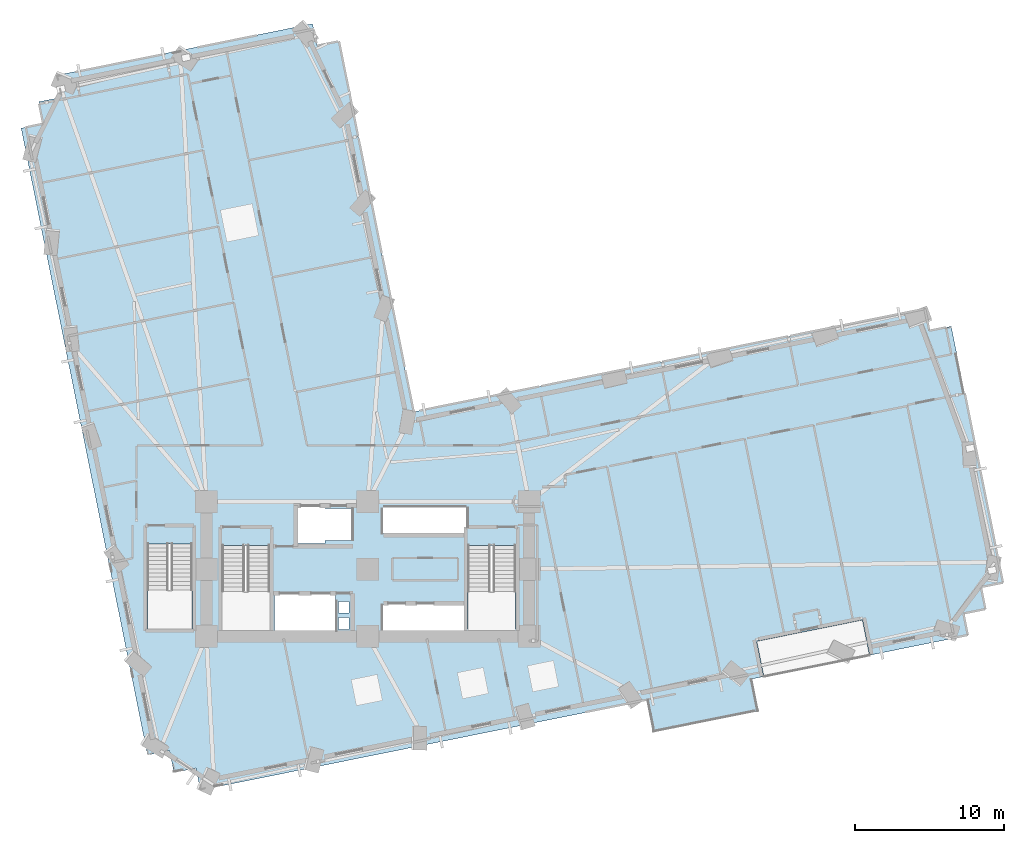
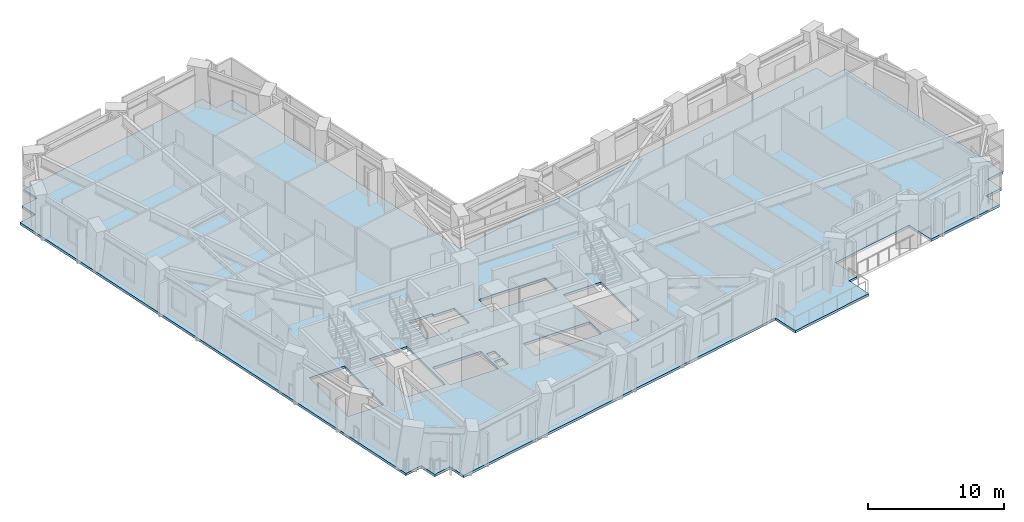
# One storey, part 5 of 16: 1 slab.
"""IFC4 building model written with IfcOpenShell, lengths in metres."""

from ifc_helpers import new_model, si_unit, direction, frame, origin, place, context, subcontext, project, spatial, polyline, outline, extrude, material, layer, layer_set, type_object, element, save


model = new_model("IFC4")

# Units and contexts
model_context = context("Model", 3, precision=1e-05, world=origin(), true_north=direction((0.0, 1.0)))
body_context = subcontext(model_context, "Body", "Model", "MODEL_VIEW")
ifc_project = project(units=[si_unit("LENGTHUNIT", "METRE"), si_unit("AREAUNIT", "SQUARE_METRE"), si_unit("VOLUMEUNIT", "CUBIC_METRE"), si_unit("PLANEANGLEUNIT", "RADIAN"), si_unit("MASSUNIT", "GRAM", prefix="KILO")], contexts=[model_context])

# Site, building, storey
site_placement = place(None, origin())
site = spatial("IfcSite", under=ifc_project, at=site_placement, CompositionType="ELEMENT")
building_placement = place(site_placement, origin())
building = spatial("IfcBuilding", under=site, at=building_placement, Name="Gaonmaruhae Medical Tower", CompositionType="ELEMENT")
storey_placement = place(building_placement, frame((0.0, 0.0, 71.0)))
storey = spatial("IfcBuildingStorey", under=building, at=storey_placement, Name="L16", CompositionType="ELEMENT", Elevation=71.0)

# Slab
ifc_material = material(Name="Concrete C40/50", Category="concrete")
ifc_layer = layer(ifc_material, 0.219970703125)
ifc_layer_set = layer_set([ifc_layer], Name="Concrete C40/50")
slab_type = type_object("IfcSlabType", Name="FS-220 Clinical Ward Composite Floor Slab", PredefinedType="FLOOR", material=ifc_layer_set)
slab_placement = place(storey_placement, frame((0.0, 0.0, -0.219970703125)))
element("IfcSlab", 1, at=slab_placement, inside=storey, type_object=slab_type, Name="L16 Structural Slab 1", PredefinedType="FLOOR", context=body_context, shape_type="SweptSolid", body=[
    extrude(outline(polyline([(13.30322265625, -1.021240234375), (11.8330078125, -1.317626953125), (11.536376953125, 0.152587890625), (10.06591796875, -0.143798828125), (1.606201171875, 41.811767578125), (3.07666015625, 42.1083984375), (2.7802734375, 43.57861328125), (4.25048828125, 43.875244140625), (3.9541015625, 45.345703125), (21.10888671875, 48.8046875), (21.405517578125, 47.334228515625), (22.875732421875, 47.630615234375), (27.87646484375, 22.829833984375), (62.087890625, 29.72802734375), (62.384521484375, 28.2578125), (63.85498046875, 28.55419921875), (67.31396484375, 11.3994140625), (65.843505859375, 11.102783203125), (66.139892578125, 9.632568359375), (64.66943359375, 9.3359375), (64.966064453125, 7.865478515625), (58.379638671875, 6.53759765625), (57.9052734375, 8.89013671875), (50.84716796875, 7.467041015625), (51.321533203125, 5.114501953125), (50.537353515625, 4.956298828125), (50.972412109375, 2.7998046875), (43.914306640625, 1.376708984375), (43.4794921875, 3.533203125), (13.599853515625, -2.49169921875), (13.30322265625, -1.021240234375)]), holes=[polyline([(23.550048828125, 8.25), (22.85009765625, 8.25), (22.85009765625, 9.050048828125), (23.550048828125, 9.050048828125), (23.550048828125, 8.25)]), polyline([(25.824951171875, 9.925048828125), (31.425048828125, 9.925048828125), (31.425048828125, 8.175048828125), (25.824951171875, 8.175048828125), (25.824951171875, 9.925048828125)]), polyline([(22.64990234375, 10.625), (22.64990234375, 8.074951171875), (18.550048828125, 8.074951171875), (18.550048828125, 10.625), (22.64990234375, 10.625)]), polyline([(23.550048828125, 9.35009765625), (22.85009765625, 9.35009765625), (22.85009765625, 10.14990234375), (23.550048828125, 10.14990234375), (23.550048828125, 9.35009765625)]), polyline([(15.050048828125, 13.889892578125), (18.25, 13.889892578125), (18.25, 8.300048828125), (15.050048828125, 8.300048828125), (15.050048828125, 13.889892578125)]), polyline([(31.5, 13.889892578125), (34.699951171875, 13.889892578125), (34.699951171875, 8.300048828125), (31.5, 8.300048828125), (31.5, 13.889892578125)]), polyline([(10.050048828125, 13.989990234375), (13.050048828125, 13.989990234375), (13.050048828125, 8.300048828125), (10.050048828125, 8.300048828125), (10.050048828125, 13.989990234375)]), polyline([(21.949951171875, 14.02490234375), (19.949951171875, 14.02490234375), (19.949951171875, 16.574951171875), (21.949951171875, 16.574951171875), (21.949951171875, 16.375), (23.72509765625, 16.375), (23.72509765625, 14.22509765625), (21.949951171875, 14.22509765625), (21.949951171875, 14.02490234375)]), polyline([(31.425048828125, 16.425048828125), (31.425048828125, 14.675048828125), (25.824951171875, 14.675048828125), (25.824951171875, 16.425048828125), (31.425048828125, 16.425048828125)])]), origin(), (0.0, 0.0, 1.0), 0.219970703125),
])

save(model, "model.ifc")
